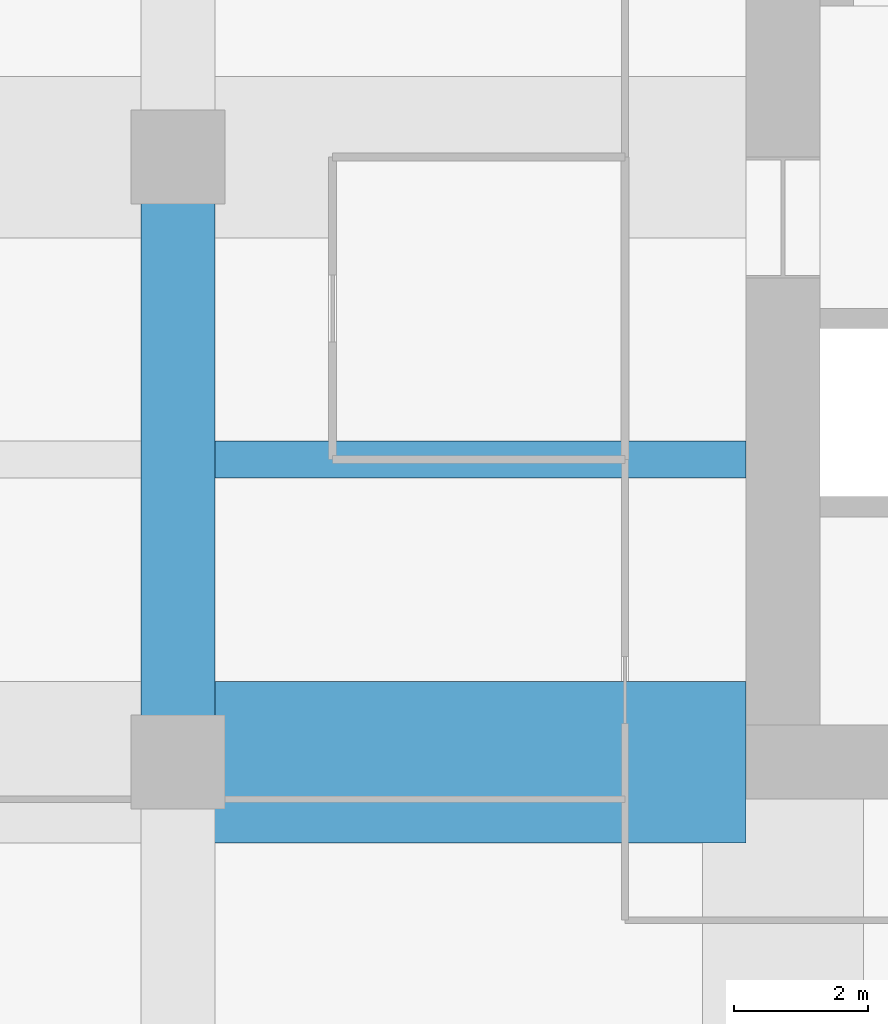
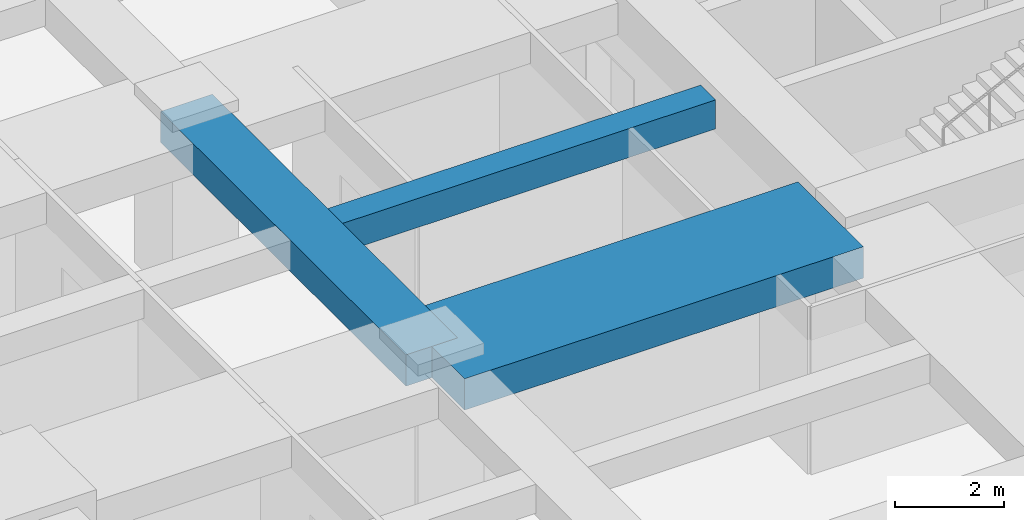
# One storey, part 10 of 35: 3 beams.
"""IFC4 building model written with IfcOpenShell, lengths in metres."""

from ifc_helpers import new_model, si_unit, direction, frame, origin, origin_2d, place, context, subcontext, project, spatial, rectangle, extrude, material, material_profile, profile_set, type_object, element, save


model = new_model("IFC4")

# Units and contexts
model_context = context("Model", 3, precision=1e-05, world=origin(), true_north=direction((0.0, 1.0)))
body_context = subcontext(model_context, "Body", "Model", "MODEL_VIEW")
ifc_project = project(units=[si_unit("LENGTHUNIT", "METRE"), si_unit("AREAUNIT", "SQUARE_METRE"), si_unit("VOLUMEUNIT", "CUBIC_METRE"), si_unit("PLANEANGLEUNIT", "RADIAN"), si_unit("MASSUNIT", "GRAM", prefix="KILO")], contexts=[model_context])

# Site, building, storey
site_placement = place(None, origin())
site = spatial("IfcSite", under=ifc_project, at=site_placement, CompositionType="ELEMENT")
building_placement = place(site_placement, origin())
building = spatial("IfcBuilding", under=site, at=building_placement, Name="Zorevar Civic Tower", CompositionType="ELEMENT")
storey_placement = place(building_placement, frame((0.0, 0.0, 222.199951171875)))
storey = spatial("IfcBuildingStorey", under=building, at=storey_placement, Name="L54", CompositionType="ELEMENT", Elevation=222.199951171875)

# Beams
ifc_material_1 = material(Name="Concrete C50/60", Category="concrete")
ifc_material_profile_1 = material_profile(ifc_material_1, rectangle(XDim=1.10009765625, YDim=0.699951171875, at=origin_2d()), Name="RC 1100x700")
ifc_profile_set_1 = profile_set([ifc_material_profile_1], Name="Concrete C50/60")
beam_type_1 = type_object("IfcBeamType", Name="Beam RC 1100x700", PredefinedType="BEAM", material=ifc_profile_set_1)
beam_1_placement = place(storey_placement, frame((9.0, 18.0, 3.400146484375), z_axis=(0.0, 1.0, 0.0), x_axis=(-1.0, 0.0, 0.0)))
element("IfcBeam", 1, at=beam_1_placement, inside=storey, type_object=beam_type_1, Name="Girder L55", PredefinedType="BEAM", context=body_context, shape_type="SweptSolid", body=[
    extrude(rectangle(XDim=1.10009765625, YDim=0.699951171875, at=origin_2d()), origin(), (0.0, 0.0, 1.0), 9.0),
])
ifc_material_2 = material(Name="Concrete C50/60", Category="concrete")
ifc_material_profile_2 = material_profile(ifc_material_2, rectangle(XDim=2.39990234375, YDim=0.699951171875, at=origin_2d()), Name="RC 2400x700")
ifc_profile_set_2 = profile_set([ifc_material_profile_2], Name="Concrete C50/60")
beam_type_2 = type_object("IfcBeamType", Name="Beam RC 2400x700", PredefinedType="BEAM", material=ifc_profile_set_2)
beam_2_placement = place(storey_placement, frame((9.0, 18.0, 3.400146484375), z_axis=(1.0, 0.0, 0.0), x_axis=(0.0, 1.0, 0.0)))
element("IfcBeam", 2, at=beam_2_placement, inside=storey, type_object=beam_type_2, Name="Girder L55", PredefinedType="BEAM", context=body_context, shape_type="SweptSolid", body=[
    extrude(rectangle(XDim=2.39990234375, YDim=0.699951171875, at=origin_2d()), origin(), (0.0, 0.0, 1.0), 8.449951171875),
])
ifc_material_3 = material(Name="Concrete C50/60", Category="concrete")
ifc_material_profile_3 = material_profile(ifc_material_3, rectangle(XDim=0.550048828125, YDim=0.64990234375, at=origin_2d()), Name="RC 550x650")
ifc_profile_set_3 = profile_set([ifc_material_profile_3], Name="Concrete C50/60")
beam_type_3 = type_object("IfcBeamType", Name="Beam RC 550x650", PredefinedType="BEAM", material=ifc_profile_set_3)
beam_3_placement = place(storey_placement, frame((9.550048828125, 22.5, 3.425048828125), z_axis=(1.0, 0.0, 0.0), x_axis=(0.0, 1.0, 0.0)))
element("IfcBeam", 3, at=beam_3_placement, inside=storey, type_object=beam_type_3, Name="Secondary beam L55", PredefinedType="BEAM", context=body_context, shape_type="SweptSolid", body=[
    extrude(rectangle(XDim=0.550048828125, YDim=0.64990234375, at=origin_2d()), origin(), (0.0, 0.0, 1.0), 7.89990234375),
])

save(model, "model.ifc")
